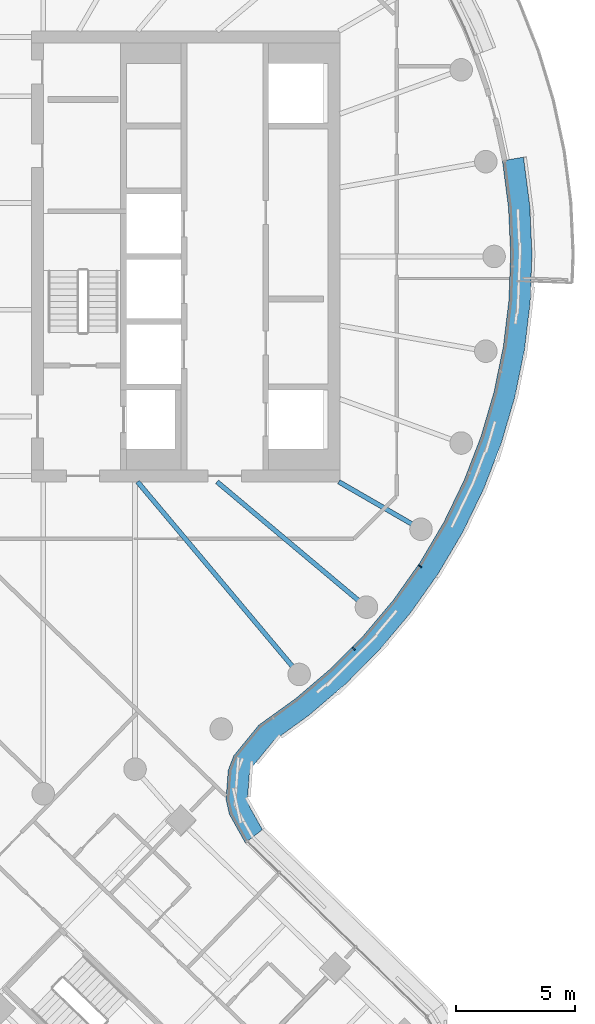
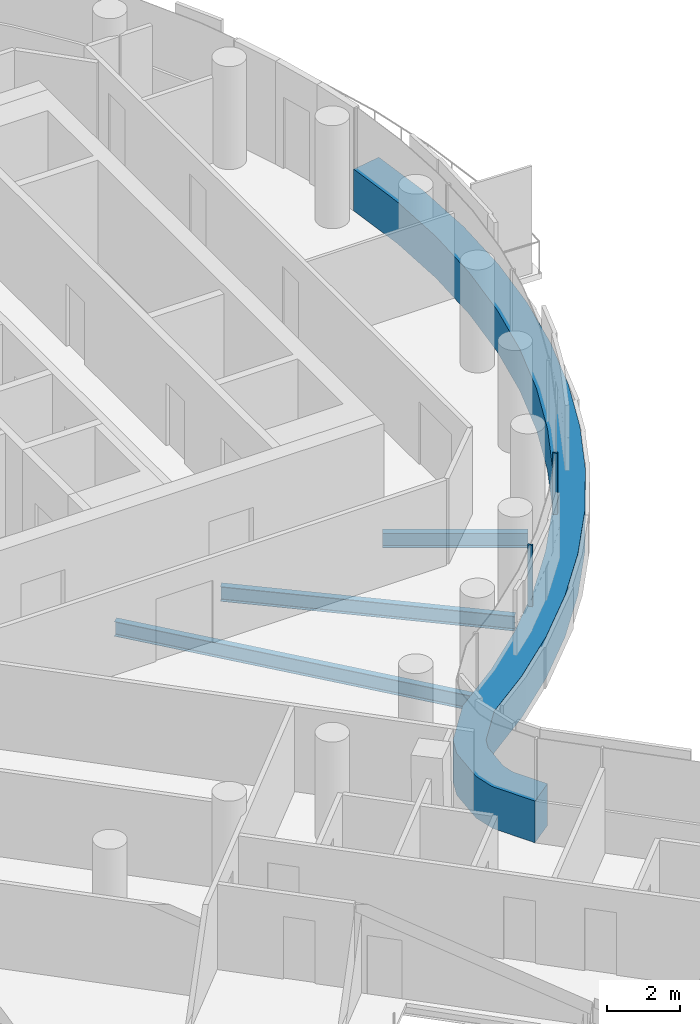
# One storey, part 7 of 31: 3 beams, 3 members, 1 element without a shape of its own.
"""IFC4 building model written with IfcOpenShell, lengths in metres."""

from ifc_helpers import new_model, si_unit, direction, frame, origin, origin_2d, place, context, subcontext, project, spatial, polyline, rectangle, i_section, outline, extrude, material, layer, layer_set, material_profile, profile_set, type_object, element, aggregate, save


model = new_model("IFC4")

# Units and contexts
model_context = context("Model", 3, precision=1e-05, world=origin(), true_north=direction((0.0, 1.0)))
body_context = subcontext(model_context, "Body", "Model", "MODEL_VIEW")
ifc_project = project(units=[si_unit("LENGTHUNIT", "METRE"), si_unit("AREAUNIT", "SQUARE_METRE"), si_unit("VOLUMEUNIT", "CUBIC_METRE"), si_unit("PLANEANGLEUNIT", "RADIAN"), si_unit("MASSUNIT", "GRAM", prefix="KILO")], contexts=[model_context])

# Site, building, storey
site_placement = place(None, origin())
site = spatial("IfcSite", under=ifc_project, at=site_placement, CompositionType="ELEMENT")
building_placement = place(site_placement, origin())
building = spatial("IfcBuilding", under=site, at=building_placement, Name="Tamarind Cross Interchange Tower", CompositionType="ELEMENT")
storey_placement = place(building_placement, frame((0.0, 0.0, 200.5)))
storey = spatial("IfcBuildingStorey", under=building, at=storey_placement, Name="L50", CompositionType="ELEMENT", Elevation=200.5)

# Beams
ifc_material_1 = material(Name="Steel Q355B", Category="steel")
ifc_material_profile_1 = material_profile(ifc_material_1, i_section(OverallWidth=0.198974609375, OverallDepth=0.49609375, WebThickness=0.009033203125, FlangeThickness=0.013916015625, FilletRadius=0.012939453125, at=origin_2d()), Name="HN 496x199x9x14")
ifc_profile_set_1 = profile_set([ifc_material_profile_1], Name="Steel Q355B")
beam_type = type_object("IfcBeamType", Name="Composite beam HN 496x199x9x14 Q355B", PredefinedType="BEAM", material=ifc_profile_set_1)
beam_1_placement = place(storey_placement, frame((14.7841796875, -17.619140625, -0.387939453125), z_axis=(-0.642786293979, 0.766045547127, 0.0), x_axis=(-0.766045547127, -0.642786293979, 0.0)))
element("IfcBeam", 1, at=beam_1_placement, inside=storey, type_object=beam_type, Name="Beam HH31", PredefinedType="BEAM", context=body_context, shape_type="SweptSolid", body=[
    extrude(i_section(OverallWidth=0.198974609375, OverallDepth=0.49609375, WebThickness=0.009033203125, FlangeThickness=0.013916015625, FilletRadius=0.012939453125, at=origin_2d()), origin(), (0.0, 0.0, 1.0), 10.598876953125),
])
beam_2_placement = place(storey_placement, frame((17.619140625, -14.7841796875, -0.387939453125), z_axis=(-0.766040580814, 0.642792212574, 0.0), x_axis=(-0.642792212574, -0.766040580814, 0.0)))
element("IfcBeam", 2, at=beam_2_placement, inside=storey, type_object=beam_type, Name="Beam HH32", PredefinedType="BEAM", context=body_context, shape_type="SweptSolid", body=[
    extrude(i_section(OverallWidth=0.198974609375, OverallDepth=0.49609375, WebThickness=0.009033203125, FlangeThickness=0.013916015625, FilletRadius=0.012939453125, at=origin_2d()), origin(), (0.0, 0.0, 1.0), 8.220703125),
])
beam_3_placement = place(storey_placement, frame((19.918701171875, -11.5, -0.387939453125), z_axis=(-0.866026010844, 0.49999894854, 0.0), x_axis=(-0.49999894854, -0.866026010844, 0.0)))
element("IfcBeam", 3, at=beam_3_placement, inside=storey, type_object=beam_type, Name="Beam HH33", PredefinedType="BEAM", context=body_context, shape_type="SweptSolid", body=[
    extrude(i_section(OverallWidth=0.198974609375, OverallDepth=0.49609375, WebThickness=0.009033203125, FlangeThickness=0.013916015625, FilletRadius=0.012939453125, at=origin_2d()), origin(), (0.0, 0.0, 1.0), 4.0),
])

# Curtain wall, members
ifc_material_2 = material(Name="Aluminium 6063-T6", Category="aluminium")
ifc_layer = layer(ifc_material_2, 0.139892578125)
ifc_layer_set = layer_set([ifc_layer], Name="Aluminium 6063-T6")
curtain_wall_type = type_object("IfcCurtainWallType", Name="Hotel curtain wall, 4.5 m bays", PredefinedType="NOTDEFINED", material=ifc_layer_set)
curtain_wall_placement = place(storey_placement, origin())
curtain_wall = element("IfcCurtainWall", 4, at=curtain_wall_placement, inside=storey, type_object=curtain_wall_type, Name="CWS-L50-06", PredefinedType="NOTDEFINED")
ifc_material_3 = material(Name="Aluminium and insulated spandrel panel", Category="aluminium")
member_type_1 = type_object("IfcMemberType", Name="Floor-edge blade transom", PredefinedType="USERDEFINED", material=ifc_material_3)
member_1_placement = place(storey_placement, origin())
member_1 = element("IfcMember", 5, at=member_1_placement, type_object=member_type_1, Name="CWT-L50-06-0", ObjectType="TRANSOM", PredefinedType="USERDEFINED", context=body_context, shape_type="SweptSolid", body=[
    extrude(outline(polyline([(12.51318359375, -24.718505859375), (11.841552734375, -23.518310546875), (11.70068359375, -22.8818359375), (11.791748046875, -21.6572265625), (12.026611328125, -21.044921875), (13.078857421875, -19.7578125), (14.634521484375, -18.636474609375), (16.12353515625, -17.3642578125), (17.50244140625, -15.973388671875), (18.76171875, -14.4736328125), (19.892822265625, -12.874755859375), (20.88818359375, -11.188232421875), (21.74072265625, -9.425048828125), (22.444580078125, -7.597412109375), (22.995361328125, -5.718017578125), (23.38916015625, -3.799560546875), (23.623046875, -1.855224609375), (23.695556640625, 0.10205078125), (23.606201171875, 2.058349609375), (23.35546875, 4.000732421875), (23.348876953125, 4.0322265625), (24.236328125, 4.185546875), (24.243408203125, 4.15283203125), (24.50341796875, 2.13671875), (24.59619140625, 0.10595703125), (24.52099609375, -1.925537109375), (24.2783203125, -3.944091796875), (23.86962890625, -5.935302734375), (23.2978515625, -7.88623046875), (22.567138671875, -9.783203125), (21.68212890625, -11.613525390625), (20.64892578125, -13.3642578125), (19.474853515625, -15.023681640625), (18.167724609375, -16.580810546875), (16.736572265625, -18.0244140625), (15.19091796875, -19.3447265625), (13.700927734375, -20.4189453125), (12.815185546875, -21.50244140625), (12.679443359375, -21.85595703125), (12.60791015625, -22.816650390625), (12.691650390625, -23.1943359375), (13.23486328125, -24.1650390625), (12.51318359375, -24.718505859375)])), origin(), (0.0, 0.0, 1.0), 1.39990234375),
])
ifc_material_profile_2 = material_profile(ifc_material_2, rectangle(XDim=0.06005859375, YDim=0.139892578125, at=origin_2d()), Name="Mullion CW2")
ifc_profile_set_2 = profile_set([ifc_material_profile_2], Name="Aluminium 6063-T6")
member_type_2 = type_object("IfcMemberType", Name="Mullion CW2", PredefinedType="MULLION", material=ifc_profile_set_2)
member_2_placement = place(storey_placement, frame((17.084716796875, -16.536865234375, 1.39990234375), z_axis=(0.0, 0.0, 1.0), x_axis=(0.704057148523, 0.710143317658, 0.0)))
member_2 = element("IfcMember", 6, at=member_2_placement, type_object=member_type_2, Name="CWM-L50-06-02", PredefinedType="MULLION", context=body_context, shape_type="SweptSolid", body=[
    extrude(rectangle(XDim=0.06005859375, YDim=0.139892578125, at=origin_2d()), origin(), (0.0, 0.0, 1.0), 2.06005859375),
])
member_3_placement = place(storey_placement, frame((19.8818359375, -13.0634765625, 1.39990234375), z_axis=(0.0, 0.0, 1.0), x_axis=(0.577568978284, 0.816341886298, 0.0)))
member_3 = element("IfcMember", 7, at=member_3_placement, type_object=member_type_2, Name="CWM-L50-06-03", PredefinedType="MULLION", context=body_context, shape_type="SweptSolid", body=[
    extrude(rectangle(XDim=0.06005859375, YDim=0.139892578125, at=origin_2d()), origin(), (0.0, 0.0, 1.0), 2.06005859375),
])
aggregate(curtain_wall, [member_2, member_3, member_1])

save(model, "model.ifc")
